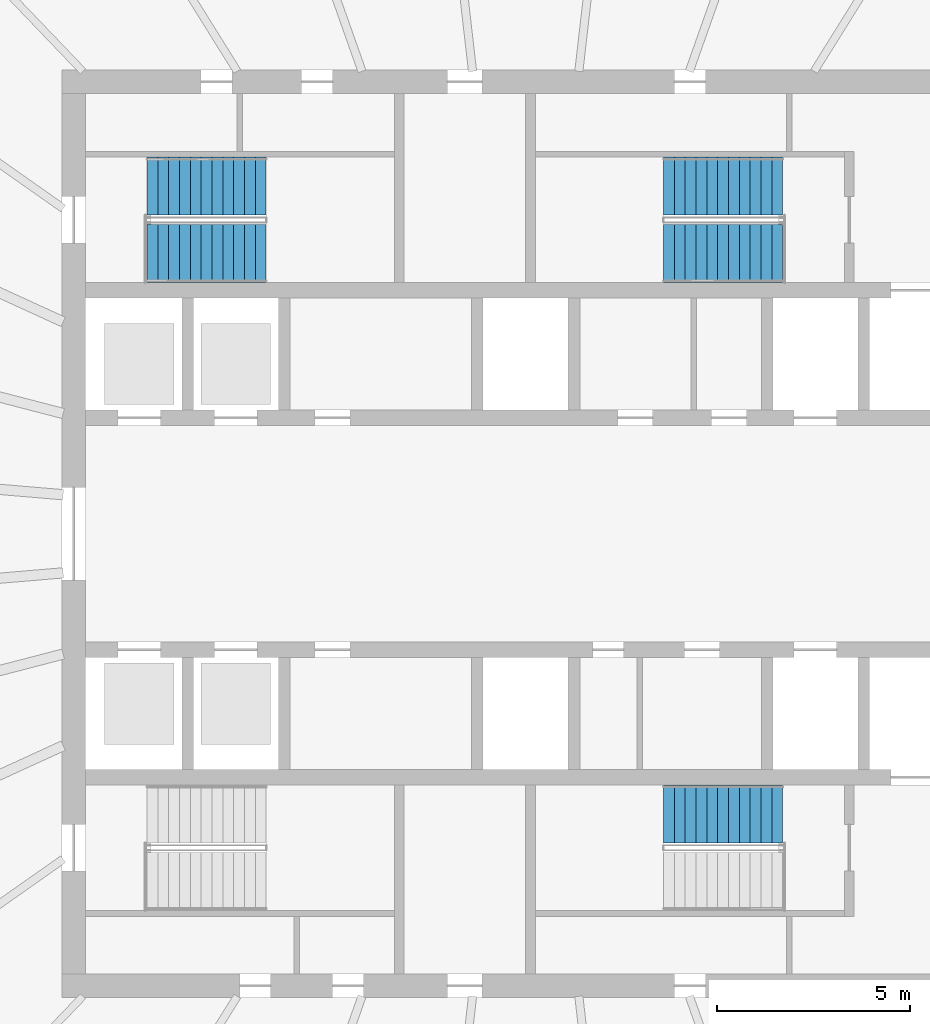
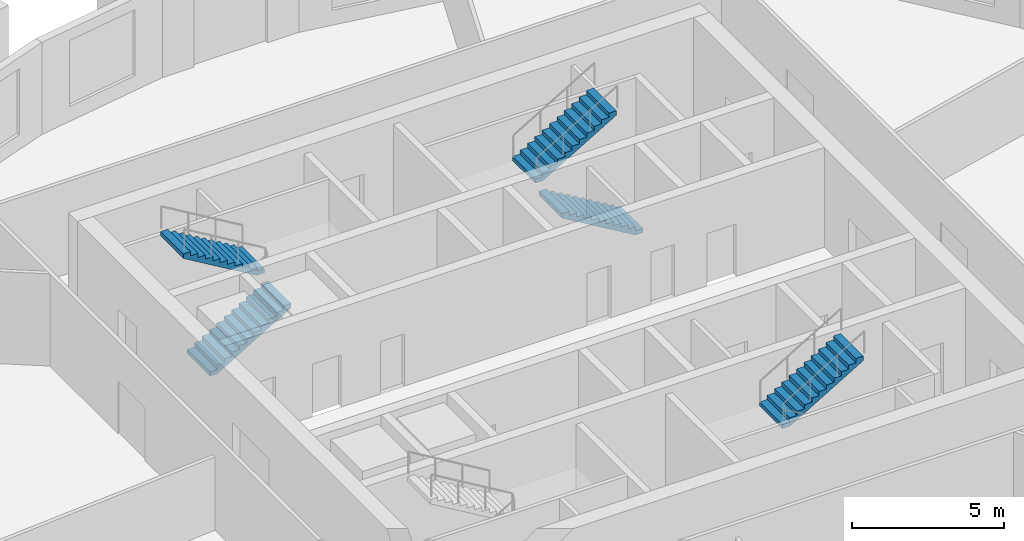
# One storey, part 7 of 10: 5 stair flights, 3 elements without a shape of their own.
"""IFC4 building model written with IfcOpenShell, lengths in metres."""

from ifc_helpers import new_model, si_unit, direction, frame, origin, place, context, subcontext, project, spatial, polyline, outline, extrude, material, type_object, element, aggregate, save


model = new_model("IFC4")

# Units and contexts
model_context = context("Model", 3, precision=1e-05, world=origin(), true_north=direction((0.0, 1.0)))
body_context = subcontext(model_context, "Body", "Model", "MODEL_VIEW")
ifc_project = project(units=[si_unit("LENGTHUNIT", "METRE"), si_unit("AREAUNIT", "SQUARE_METRE"), si_unit("VOLUMEUNIT", "CUBIC_METRE"), si_unit("PLANEANGLEUNIT", "RADIAN"), si_unit("MASSUNIT", "GRAM", prefix="KILO")], contexts=[model_context])

# Site, building, storey
site_placement = place(None, origin())
site = spatial("IfcSite", under=ifc_project, at=site_placement, CompositionType="ELEMENT")
building_placement = place(site_placement, origin())
building = spatial("IfcBuilding", under=site, at=building_placement, Name="Halqa Exchange Tower", CompositionType="ELEMENT")
storey_placement = place(building_placement, frame((0.0, 0.0, 300.300048828125)))
storey = spatial("IfcBuildingStorey", under=building, at=storey_placement, Name="L70", CompositionType="ELEMENT", Elevation=300.300048828125)

# Stair, stair flights
ifc_material = material(Name="Concrete C30/37", Category="concrete")
stair_type = type_object("IfcStairType", Name="Exit stair 1500 wide", PredefinedType="HALF_TURN_STAIR", material=ifc_material)
stair_1_placement = place(storey_placement, origin())
stair_1 = element("IfcStair", 1, at=stair_1_placement, inside=storey, type_object=stair_type, Name="Exit stair ST1", PredefinedType="HALF_TURN_STAIR")
stair_flight_type = type_object("IfcStairFlightType", Name="Stair flight 1500 wide", PredefinedType="STRAIGHT", material=ifc_material)
stair_flight_1_placement = place(storey_placement, frame((-9.800048828125, 7.25, 0.0), z_axis=(0.0, 0.0, 1.0), x_axis=(1.0, 0.0, 0.0)))
stair_flight_1 = element("IfcStairFlight", 2, at=stair_flight_1_placement, type_object=stair_flight_type, Name="ST1 flight 1", NumberOfRisers=12, NumberOfTreads=11, PredefinedType="STRAIGHT", RiserHeight=0.166666667, TreadLength=0.28, context=body_context, shape_type="SweptSolid", body=[
    extrude(outline(polyline([(0.0, 0.0), (0.0, 0.166748046875), (0.280029296875, 0.166748046875), (0.280029296875, 0.333251953125), (0.56005859375, 0.333251953125), (0.56005859375, 0.5), (0.840087890625, 0.5), (0.840087890625, 0.666748046875), (1.1201171875, 0.666748046875), (1.1201171875, 0.833251953125), (1.39990234375, 0.833251953125), (1.39990234375, 1.0), (1.679931640625, 1.0), (1.679931640625, 1.166748046875), (1.9599609375, 1.166748046875), (1.9599609375, 1.333251953125), (2.239990234375, 1.333251953125), (2.239990234375, 1.5), (2.52001953125, 1.5), (2.52001953125, 1.666748046875), (2.800048828125, 1.666748046875), (2.800048828125, 1.833251953125), (3.080078125, 1.833251953125), (3.080078125, 2.0), (3.080078125, 1.658935546875), (0.29296875, 0.0), (0.0, 0.0)])), frame((0.0, 0.75, 0.0), z_axis=(0.0, -1.0, 0.0), x_axis=(1.0, 0.0, 0.0)), (0.0, 0.0, 1.0), 1.5),
])
stair_flight_2_placement = place(storey_placement, frame((-6.719970703125, 9.0, 2.0), z_axis=(0.0, 0.0, 1.0), x_axis=(-1.0, 0.0, 0.0)))
stair_flight_2 = element("IfcStairFlight", 3, at=stair_flight_2_placement, type_object=stair_flight_type, Name="ST1 flight 2", NumberOfRisers=12, NumberOfTreads=11, PredefinedType="STRAIGHT", RiserHeight=0.166666667, TreadLength=0.28, context=body_context, shape_type="SweptSolid", body=[
    extrude(outline(polyline([(0.0, 0.0), (0.0, 0.166748046875), (0.280029296875, 0.166748046875), (0.280029296875, 0.333251953125), (0.56005859375, 0.333251953125), (0.56005859375, 0.5), (0.840087890625, 0.5), (0.840087890625, 0.666748046875), (1.1201171875, 0.666748046875), (1.1201171875, 0.833251953125), (1.39990234375, 0.833251953125), (1.39990234375, 1.0), (1.679931640625, 1.0), (1.679931640625, 1.166748046875), (1.9599609375, 1.166748046875), (1.9599609375, 1.333251953125), (2.239990234375, 1.333251953125), (2.239990234375, 1.5), (2.52001953125, 1.5), (2.52001953125, 1.666748046875), (2.800048828125, 1.666748046875), (2.800048828125, 1.833251953125), (3.080078125, 1.833251953125), (3.080078125, 2.0), (3.080078125, 1.658935546875), (0.29296875, 0.0), (0.0, 0.0)])), frame((0.0, 0.75, 0.0), z_axis=(0.0, -1.0, 0.0), x_axis=(1.0, 0.0, 0.0)), (0.0, 0.0, 1.0), 1.5),
])
aggregate(stair_1, [stair_flight_1, stair_flight_2])

stair_2_placement = place(storey_placement, origin())
stair_2 = element("IfcStair", 4, at=stair_2_placement, inside=storey, type_object=stair_type, Name="Exit stair ST2", PredefinedType="HALF_TURN_STAIR")
stair_flight_3_placement = place(storey_placement, frame((6.64990234375, 7.25, 0.0), z_axis=(0.0, 0.0, 1.0), x_axis=(-1.0, 0.0, 0.0)))
stair_flight_3 = element("IfcStairFlight", 5, at=stair_flight_3_placement, type_object=stair_flight_type, Name="ST2 flight 1", NumberOfRisers=12, NumberOfTreads=11, PredefinedType="STRAIGHT", RiserHeight=0.166666667, TreadLength=0.28, context=body_context, shape_type="SweptSolid", body=[
    extrude(outline(polyline([(0.0, 0.0), (0.0, 0.166748046875), (0.280029296875, 0.166748046875), (0.280029296875, 0.333251953125), (0.56005859375, 0.333251953125), (0.56005859375, 0.5), (0.840087890625, 0.5), (0.840087890625, 0.666748046875), (1.1201171875, 0.666748046875), (1.1201171875, 0.833251953125), (1.39990234375, 0.833251953125), (1.39990234375, 1.0), (1.679931640625, 1.0), (1.679931640625, 1.166748046875), (1.9599609375, 1.166748046875), (1.9599609375, 1.333251953125), (2.239990234375, 1.333251953125), (2.239990234375, 1.5), (2.52001953125, 1.5), (2.52001953125, 1.666748046875), (2.800048828125, 1.666748046875), (2.800048828125, 1.833251953125), (3.080078125, 1.833251953125), (3.080078125, 2.0), (3.080078125, 1.658935546875), (0.29296875, 0.0), (0.0, 0.0)])), frame((0.0, 0.75, 0.0), z_axis=(0.0, -1.0, 0.0), x_axis=(1.0, 0.0, 0.0)), (0.0, 0.0, 1.0), 1.5),
])
stair_flight_4_placement = place(storey_placement, frame((3.570068359375, 9.0, 2.0), z_axis=(0.0, 0.0, 1.0), x_axis=(1.0, 0.0, 0.0)))
stair_flight_4 = element("IfcStairFlight", 6, at=stair_flight_4_placement, type_object=stair_flight_type, Name="ST2 flight 2", NumberOfRisers=12, NumberOfTreads=11, PredefinedType="STRAIGHT", RiserHeight=0.166666667, TreadLength=0.28, context=body_context, shape_type="SweptSolid", body=[
    extrude(outline(polyline([(0.0, 0.0), (0.0, 0.166748046875), (0.280029296875, 0.166748046875), (0.280029296875, 0.333251953125), (0.56005859375, 0.333251953125), (0.56005859375, 0.5), (0.840087890625, 0.5), (0.840087890625, 0.666748046875), (1.1201171875, 0.666748046875), (1.1201171875, 0.833251953125), (1.39990234375, 0.833251953125), (1.39990234375, 1.0), (1.679931640625, 1.0), (1.679931640625, 1.166748046875), (1.9599609375, 1.166748046875), (1.9599609375, 1.333251953125), (2.239990234375, 1.333251953125), (2.239990234375, 1.5), (2.52001953125, 1.5), (2.52001953125, 1.666748046875), (2.800048828125, 1.666748046875), (2.800048828125, 1.833251953125), (3.080078125, 1.833251953125), (3.080078125, 2.0), (3.080078125, 1.658935546875), (0.29296875, 0.0), (0.0, 0.0)])), frame((0.0, 0.75, 0.0), z_axis=(0.0, -1.0, 0.0), x_axis=(1.0, 0.0, 0.0)), (0.0, 0.0, 1.0), 1.5),
])
aggregate(stair_2, [stair_flight_3, stair_flight_4])

# Stair, stair flight
stair_3_placement = place(storey_placement, origin())
stair_3 = element("IfcStair", 7, at=stair_3_placement, inside=storey, type_object=stair_type, Name="Exit stair ST4", PredefinedType="HALF_TURN_STAIR")
stair_flight_5_placement = place(storey_placement, frame((3.570068359375, -7.25, 2.0), z_axis=(0.0, 0.0, 1.0), x_axis=(1.0, 0.0, 0.0)))
stair_flight_5 = element("IfcStairFlight", 8, at=stair_flight_5_placement, type_object=stair_flight_type, Name="ST4 flight 2", NumberOfRisers=12, NumberOfTreads=11, PredefinedType="STRAIGHT", RiserHeight=0.166666667, TreadLength=0.28, context=body_context, shape_type="SweptSolid", body=[
    extrude(outline(polyline([(0.0, 0.0), (0.0, 0.166748046875), (0.280029296875, 0.166748046875), (0.280029296875, 0.333251953125), (0.56005859375, 0.333251953125), (0.56005859375, 0.5), (0.840087890625, 0.5), (0.840087890625, 0.666748046875), (1.1201171875, 0.666748046875), (1.1201171875, 0.833251953125), (1.39990234375, 0.833251953125), (1.39990234375, 1.0), (1.679931640625, 1.0), (1.679931640625, 1.166748046875), (1.9599609375, 1.166748046875), (1.9599609375, 1.333251953125), (2.239990234375, 1.333251953125), (2.239990234375, 1.5), (2.52001953125, 1.5), (2.52001953125, 1.666748046875), (2.800048828125, 1.666748046875), (2.800048828125, 1.833251953125), (3.080078125, 1.833251953125), (3.080078125, 2.0), (3.080078125, 1.658935546875), (0.29296875, 0.0), (0.0, 0.0)])), frame((0.0, 0.75, 0.0), z_axis=(0.0, -1.0, 0.0), x_axis=(1.0, 0.0, 0.0)), (0.0, 0.0, 1.0), 1.5),
])
aggregate(stair_3, [stair_flight_5])

save(model, "model.ifc")
